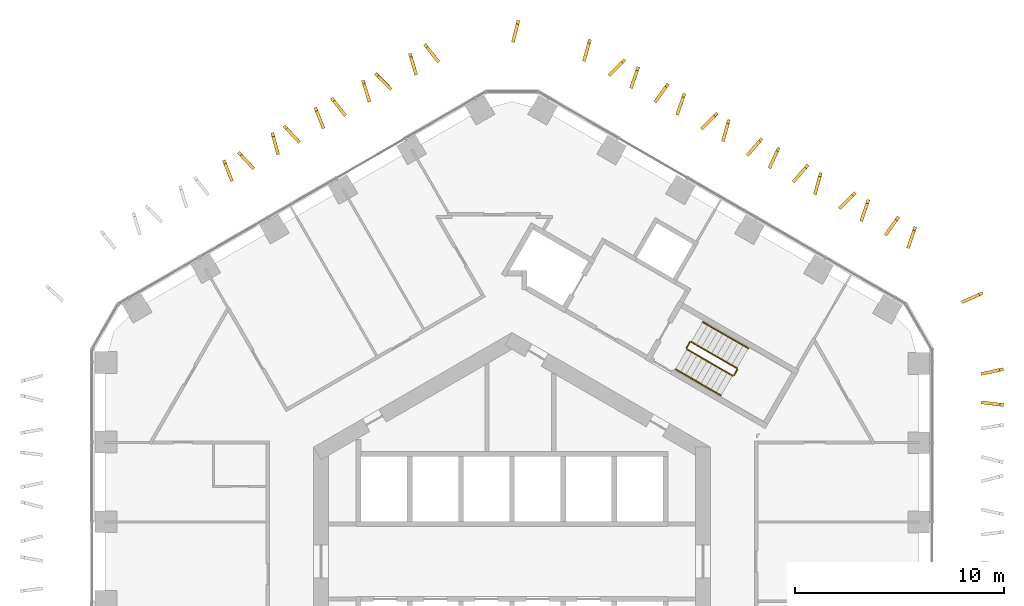
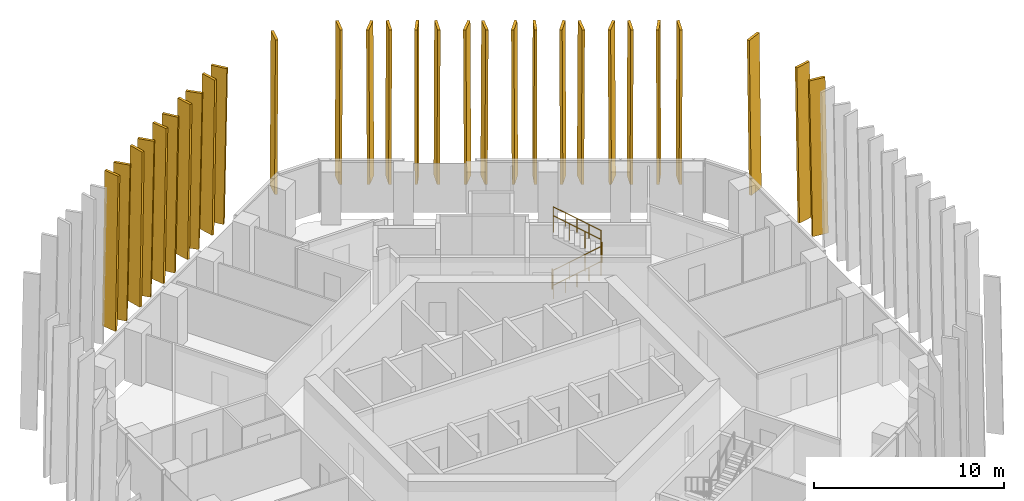
# One storey, part 18 of 18: 29 shading devices, 8 railings.
"""IFC4 building model written with IfcOpenShell, lengths in metres."""

from ifc_helpers import new_model, si_unit, direction, frame, origin, origin_2d, place, context, subcontext, project, spatial, polyline, circle, outline, extrude, material, layer, layer_set, type_object, element, save


model = new_model("IFC4")

# Units and contexts
model_context = context("Model", 3, precision=1e-05, world=origin(), true_north=direction((0.0, 1.0)))
body_context = subcontext(model_context, "Body", "Model", "MODEL_VIEW")
ifc_project = project(units=[si_unit("LENGTHUNIT", "METRE"), si_unit("AREAUNIT", "SQUARE_METRE"), si_unit("VOLUMEUNIT", "CUBIC_METRE"), si_unit("PLANEANGLEUNIT", "RADIAN"), si_unit("MASSUNIT", "GRAM", prefix="KILO")], contexts=[model_context])

# Site, building, storey
site_placement = place(None, origin())
site = spatial("IfcSite", under=ifc_project, at=site_placement, CompositionType="ELEMENT")
building_placement = place(site_placement, origin())
building = spatial("IfcBuilding", under=site, at=building_placement, Name="Ayvan Gate Tower", CompositionType="ELEMENT")
storey_placement = place(building_placement, frame((0.0, 0.0, 83.10009765625)))
storey = spatial("IfcBuildingStorey", under=building, at=storey_placement, Name="L21", CompositionType="ELEMENT", Elevation=83.10009765625)

# Shading devices
ifc_material_1 = material(Name="Bronze anodised aluminium", Category="aluminium")
ifc_layer = layer(ifc_material_1, 0.14990234375)
ifc_layer_set = layer_set([ifc_layer], Name="Bronze anodised aluminium")
shading_device_type = type_object("IfcShadingDeviceType", Name="Bronze fin 900 x 150", PredefinedType="USERDEFINED", material=ifc_layer_set)
shading_device_1_placement = place(storey_placement, frame((-3.568359375, 24.122802734375, 0.0), z_axis=(0.784573637715, 0.620035632434, 0.000146677982), x_axis=(-0.620035639105, 0.784573646154, 1.5609e-08)))
element("IfcShadingDevice", 1, at=shading_device_1_placement, inside=storey, type_object=shading_device_type, Name="Bronze fin FG07.1.1", ObjectType="FIN", PredefinedType="USERDEFINED", context=body_context, shape_type="SweptSolid", body=[
    extrude(outline(polyline([(0.0, 0.0), (0.8999971815605223, 0.0), (0.7159402538432998, 10.07983408163103), (-0.18390555182876894, 10.079834109724292), (0.0, 0.0)])), origin(), (0.0, 0.0, -1.0), 0.14990234375),
])
shading_device_2_placement = place(storey_placement, frame((-4.565673828125, 23.508056640625, 0.0), z_axis=(0.957489675499, 0.288467498553, 0.000153593203), x_axis=(-0.288467501953, 0.957489686794, -1.9946e-08)))
element("IfcShadingDevice", 2, at=shading_device_2_placement, inside=storey, type_object=shading_device_type, Name="Bronze fin FG07.1.2", ObjectType="FIN", PredefinedType="USERDEFINED", context=body_context, shape_type="SweptSolid", body=[
    extrude(outline(polyline([(0.0, 0.0), (0.9000438351950895, 1.3552527156068805e-20), (0.7159398313730221, 10.079834117551068), (-0.18417443045828635, 10.079834081645389), (0.0, 0.0)])), origin(), (0.0, 0.0, -1.0), 0.14990234375),
])
shading_device_3_placement = place(storey_placement, frame((-5.86279296875, 22.79833984375, 0.0), z_axis=(0.707174583753, 0.707038953798, 0.000160951138), x_axis=(-0.707038962955, 0.707174592915, -1.5439e-08)))
element("IfcShadingDevice", 3, at=shading_device_3_placement, inside=storey, type_object=shading_device_type, Name="Bronze fin FG07.1.3", ObjectType="FIN", PredefinedType="USERDEFINED", context=body_context, shape_type="SweptSolid", body=[
    extrude(outline(polyline([(0.0, 0.0), (0.8999384036104328, 0.0), (0.7159107813310452, 10.079834125988326), (-0.18420023921370265, 10.07983409819744), (0.0, 0.0)])), origin(), (0.0, 0.0, -1.0), 0.14990234375),
])
shading_device_4_placement = place(storey_placement, frame((-6.807861328125, 22.21435546875, 0.0), z_axis=(0.956054196621, 0.29318995363, 0.000155610342), x_axis=(-0.29318995718, 0.956054208196, 0.0)))
element("IfcShadingDevice", 4, at=shading_device_4_placement, inside=storey, type_object=shading_device_type, Name="Bronze fin FG07.1.4", ObjectType="FIN", PredefinedType="USERDEFINED", context=body_context, shape_type="SweptSolid", body=[
    extrude(outline(polyline([(0.0, 0.0), (0.9001536688480408, 0.0), (0.71600742047909, 10.079834106414468), (-0.18414624836895074, 10.079834106414468), (0.0, 0.0)])), origin(), (0.0, 0.0, -1.0), 0.14990234375),
])
shading_device_5_placement = place(storey_placement, frame((-8.031005859375, 21.546142578125, 0.0), z_axis=(0.787376173871, 0.616472818302, 0.000158479837), x_axis=(-0.616472826044, 0.787376183758, 3.673e-09)))
element("IfcShadingDevice", 5, at=shading_device_5_placement, inside=storey, type_object=shading_device_type, Name="Bronze fin FG07.1.5", ObjectType="FIN", PredefinedType="USERDEFINED", context=body_context, shape_type="SweptSolid", body=[
    extrude(outline(polyline([(0.0, 0.0), (0.9001454577752708, -2.710505431213761e-20), (0.7159588595770248, 10.079834108327123), (-0.18384386162358723, 10.079834114938349), (0.0, 0.0)])), origin(), (0.0, 0.0, -1.0), 0.14990234375),
])
shading_device_6_placement = place(storey_placement, frame((-9.026611328125, 20.9462890625, 0.0), z_axis=(0.929762108809, 0.368160835032, 0.000143429492), x_axis=(-0.368160838819, 0.929762118372, 0.0)))
element("IfcShadingDevice", 6, at=shading_device_6_placement, inside=storey, type_object=shading_device_type, Name="Bronze fin FG07.1.6", ObjectType="FIN", PredefinedType="USERDEFINED", context=body_context, shape_type="SweptSolid", body=[
    extrude(outline(polyline([(0.0, 0.0), (0.899875253403113, 0.0), (0.715851201309735, 10.07983408805627), (-0.1840240520933779, 10.07983408805627), (0.0, 0.0)])), origin(), (0.0, 0.0, -1.0), 0.14990234375),
])
shading_device_7_placement = place(storey_placement, frame((-10.249755859375, 20.26611328125, 0.0), z_axis=(0.729198712719, 0.684301991382, 0.000148186152), x_axis=(-0.684301998897, 0.729198720724, 1.4655e-08)))
element("IfcShadingDevice", 7, at=shading_device_7_placement, inside=storey, type_object=shading_device_type, Name="Bronze fin FG07.1.7", ObjectType="FIN", PredefinedType="USERDEFINED", context=body_context, shape_type="SweptSolid", body=[
    extrude(outline(polyline([(0.0, 0.0), (0.9000439708308932, -1.3552527156068805e-20), (0.7158793932830756, 10.079834084555674), (-0.18399751163011818, 10.079834110934367), (0.0, 0.0)])), origin(), (0.0, 0.0, -1.0), 0.14990234375),
])
shading_device_8_placement = place(storey_placement, frame((-11.17529296875, 19.686279296875, 0.0), z_axis=(0.965928063267, 0.258810664894, 0.000127789571), x_axis=(-0.258810667007, 0.965928071154, -4.486e-09)))
element("IfcShadingDevice", 8, at=shading_device_8_placement, inside=storey, type_object=shading_device_type, Name="Bronze fin FG07.1.8", ObjectType="FIN", PredefinedType="USERDEFINED", context=body_context, shape_type="SweptSolid", body=[
    extrude(outline(polyline([(0.0, 0.0), (0.9000427826426429, 3.3881317890172014e-21), (0.7158870932206614, 10.079834069888937), (-0.18391986713898498, 10.079834061815458), (0.0, 0.0)])), origin(), (0.0, 0.0, -1.0), 0.14990234375),
])
shading_device_9_placement = place(storey_placement, frame((-12.440185546875, 19.001220703125, 0.0), z_axis=(0.729258040557, 0.684238763973, 0.000155434314), x_axis=(-0.684238772239, 0.729258049366, 0.0)))
element("IfcShadingDevice", 9, at=shading_device_9_placement, inside=storey, type_object=shading_device_type, Name="Bronze fin FG07.1.9", ObjectType="FIN", PredefinedType="USERDEFINED", context=body_context, shape_type="SweptSolid", body=[
    extrude(outline(polyline([(0.0, 0.0), (0.9002220012460287, 0.0), (0.7162242053566722, 10.079834106138518), (-0.18399779588935644, 10.079834106138518), (0.0, 0.0)])), origin(), (0.0, 0.0, -1.0), 0.14990234375),
])
shading_device_10_placement = place(storey_placement, frame((-13.4072265625, 18.4169921875, 0.0), z_axis=(0.929798868468, 0.36806798848, 0.000141606406), x_axis=(-0.368067992171, 0.92979887779, 0.0)))
element("IfcShadingDevice", 10, at=shading_device_10_placement, inside=storey, type_object=shading_device_type, Name="Bronze fin FG07.1.10", ObjectType="FIN", PredefinedType="USERDEFINED", context=body_context, shape_type="SweptSolid", body=[
    extrude(outline(polyline([(0.0, 0.0), (0.9001022505955933, 6.776263578034403e-21), (0.7160780550495098, 10.079834085437303), (-0.18402419554608343, 10.079834085437303), (0.0, 0.0)])), origin(), (0.0, 0.0, -1.0), 0.14990234375),
])
shading_device_11_placement = place(storey_placement, frame((22.656494140625, 7.527587890625, 0.0), z_axis=(-0.120444784066, -0.992720016416, 0.000151654649), x_axis=(0.992720027831, -0.120444785451, -2.478e-09)))
element("IfcShadingDevice", 11, at=shading_device_11_placement, inside=storey, type_object=shading_device_type, Name="Bronze fin FG07.9.78", ObjectType="FIN", PredefinedType="USERDEFINED", context=body_context, shape_type="SweptSolid", body=[
    extrude(outline(polyline([(0.0, 0.0), (0.8998632975037835, 0.0), (0.7159655662336771, 10.079834102062785), (-0.18414009455815103, 10.079834097602708), (0.0, 0.0)])), origin(), (0.0, 0.0, -1.0), 0.14990234375),
])
shading_device_12_placement = place(storey_placement, frame((22.67578125, 8.951416015625, 0.0), z_axis=(0.213454208032, -0.976953058869, 0.000147782145), x_axis=(0.976953069537, 0.213454210363, 0.0)))
element("IfcShadingDevice", 12, at=shading_device_12_placement, inside=storey, type_object=shading_device_type, Name="Bronze fin FG07.9.79", ObjectType="FIN", PredefinedType="USERDEFINED", context=body_context, shape_type="SweptSolid", body=[
    extrude(outline(polyline([(0.0, 0.0), (0.9001399951242565, 6.776263578034403e-21), (0.716039221705121, 10.079834094444585), (-0.1841007734191354, 10.079834094444585), (0.0, 0.0)])), origin(), (0.0, 0.0, -1.0), 0.14990234375),
])
shading_device_13_placement = place(storey_placement, frame((21.75146484375, 12.427734375, 0.0), z_axis=(0.404174399479, -0.91468192956, 0.000150138966), x_axis=(0.914681939869, 0.404174404035, 0.0)))
element("IfcShadingDevice", 13, at=shading_device_13_placement, inside=storey, type_object=shading_device_type, Name="Bronze fin FG07.10.80", ObjectType="FIN", PredefinedType="USERDEFINED", context=body_context, shape_type="SweptSolid", body=[
    extrude(outline(polyline([(0.0, 0.0), (0.9000310945437551, 6.776263578034403e-21), (0.715995926283018, 10.079834097983346), (-0.18403516826073713, 10.079834097983346), (0.0, 0.0)])), origin(), (0.0, 0.0, -1.0), 0.14990234375),
])
shading_device_14_placement = place(storey_placement, frame((19.096923828125, 15.158203125, 0.0), z_axis=(0.945251826867, -0.326341784394, 0.000153501648), x_axis=(0.32634178824, 0.945251838003, -6.795e-09)))
element("IfcShadingDevice", 14, at=shading_device_14_placement, inside=storey, type_object=shading_device_type, Name="Bronze fin FG07.11.81", ObjectType="FIN", PredefinedType="USERDEFINED", context=body_context, shape_type="SweptSolid", body=[
    extrude(outline(polyline([(0.0, 0.0), (0.8998648864393721, 1.3552527156068805e-20), (0.7159373434260371, 10.079834107994458), (-0.1841583173878475, 10.079834095762909), (0.0, 0.0)])), origin(), (0.0, 0.0, -1.0), 0.14990234375),
])
shading_device_15_placement = place(storey_placement, frame((18.0576171875, 15.739501953125, 0.0), z_axis=(0.815635137604, -0.578566594117, 0.0001359348), x_axis=(0.578566599462, 0.81563514514, 0.0)))
element("IfcShadingDevice", 15, at=shading_device_15_placement, inside=storey, type_object=shading_device_type, Name="Bronze fin FG07.11.82", ObjectType="FIN", PredefinedType="USERDEFINED", context=body_context, shape_type="SweptSolid", body=[
    extrude(outline(polyline([(0.0, 0.0), (0.9000726167205502, -6.776263578034403e-21), (0.7159132956296789, 10.07983407750395), (-0.18415932109087127, 10.07983407750395), (0.0, 0.0)])), origin(), (0.0, 0.0, -1.0), 0.14990234375),
])
shading_device_16_placement = place(storey_placement, frame((16.856689453125, 16.45166015625, 0.0), z_axis=(0.9460885188, -0.323908155254, 0.000146813216), x_axis=(0.323908158744, 0.946088528997, 6.449e-09)))
element("IfcShadingDevice", 16, at=shading_device_16_placement, inside=storey, type_object=shading_device_type, Name="Bronze fin FG07.11.83", ObjectType="FIN", PredefinedType="USERDEFINED", context=body_context, shape_type="SweptSolid", body=[
    extrude(outline(polyline([(0.0, 0.0), (0.900074006513843, 0.0), (0.7158474913635703, 10.079834088389196), (-0.18399553650549802, 10.079834099997571), (0.0, 0.0)])), origin(), (0.0, 0.0, -1.0), 0.14990234375),
])
shading_device_17_placement = place(storey_placement, frame((15.86376953125, 16.980712890625, 0.0), z_axis=(0.712376912937, -0.701797057794, 0.000153580058), x_axis=(0.70179706607, 0.712376921338, 0.0)))
element("IfcShadingDevice", 17, at=shading_device_17_placement, inside=storey, type_object=shading_device_type, Name="Bronze fin FG07.11.84", ObjectType="FIN", PredefinedType="USERDEFINED", context=body_context, shape_type="SweptSolid", body=[
    extrude(outline(polyline([(0.0, 0.0), (0.8999635755267725, 0.0), (0.7161153435034988, 10.07983410325069), (-0.18384823202327377, 10.07983410325069), (0.0, 0.0)])), origin(), (0.0, 0.0, -1.0), 0.14990234375),
])
shading_device_18_placement = place(storey_placement, frame((14.62646484375, 17.73876953125, 0.0), z_axis=(0.963564520385, -0.267475962021, 0.000157467188), x_axis=(0.267475965337, 0.963564532331, 0.0)))
element("IfcShadingDevice", 18, at=shading_device_18_placement, inside=storey, type_object=shading_device_type, Name="Bronze fin FG07.11.85", ObjectType="FIN", PredefinedType="USERDEFINED", context=body_context, shape_type="SweptSolid", body=[
    extrude(outline(polyline([(0.0, 0.0), (0.8999786427400962, 0.0), (0.71584307469069, 10.079834109344358), (-0.18413556804940626, 10.079834109344358), (0.0, 0.0)])), origin(), (0.0, 0.0, -1.0), 0.14990234375),
])
shading_device_19_placement = place(storey_placement, frame((13.6484375, 18.271240234375, 0.0), z_axis=(0.755702499778, -0.654915036605, 0.000163274013), x_axis=(0.654915045336, 0.755702509849, -1.4507e-08)))
element("IfcShadingDevice", 19, at=shading_device_19_placement, inside=storey, type_object=shading_device_type, Name="Bronze fin FG07.11.86", ObjectType="FIN", PredefinedType="USERDEFINED", context=body_context, shape_type="SweptSolid", body=[
    extrude(outline(polyline([(0.0, 0.0), (0.8998038108816967, 0.0), (0.7157766808476098, 10.079834129114598), (-0.18421162771715557, 10.079834103005815), (0.0, 0.0)])), origin(), (0.0, 0.0, -1.0), 0.14990234375),
])
shading_device_20_placement = place(storey_placement, frame((12.47412109375, 18.979248046875, 0.0), z_axis=(0.908443063011, -0.418008587668, 0.000147997138), x_axis=(0.418008592246, 0.90844307296, 0.0)))
element("IfcShadingDevice", 20, at=shading_device_20_placement, inside=storey, type_object=shading_device_type, Name="Bronze fin FG07.11.87", ObjectType="FIN", PredefinedType="USERDEFINED", context=body_context, shape_type="SweptSolid", body=[
    extrude(outline(polyline([(0.0, 0.0), (0.9000310283186577, 6.776263578034403e-21), (0.7157909460573149, 10.079834094765074), (-0.18424008226134278, 10.079834094765074), (0.0, 0.0)])), origin(), (0.0, 0.0, -1.0), 0.14990234375),
])
shading_device_21_placement = place(storey_placement, frame((11.446533203125, 19.542236328125, 0.0), z_axis=(0.754874069287, -0.655869744713, 0.000132242233), x_axis=(0.655869750448, 0.754874075888, 0.0)))
element("IfcShadingDevice", 21, at=shading_device_21_placement, inside=storey, type_object=shading_device_type, Name="Bronze fin FG07.11.88", ObjectType="FIN", PredefinedType="USERDEFINED", context=body_context, shape_type="SweptSolid", body=[
    extrude(outline(polyline([(0.0, 0.0), (0.9000751000436222, 0.0), (0.7158617864630611, 10.07983407251311), (-0.18421331358056106, 10.07983407251311), (0.0, 0.0)])), origin(), (0.0, 0.0, -1.0), 0.14990234375),
])
shading_device_22_placement = place(storey_placement, frame((10.22216796875, 20.281494140625, 0.0), z_axis=(0.963653775619, -0.267154227128, 0.000140226146), x_axis=(0.267154229754, 0.963653785093, 0.0)))
element("IfcShadingDevice", 22, at=shading_device_22_placement, inside=storey, type_object=shading_device_type, Name="Bronze fin FG07.11.89", ObjectType="FIN", PredefinedType="USERDEFINED", context=body_context, shape_type="SweptSolid", body=[
    extrude(outline(polyline([(0.0, 0.0), (0.9001486364121107, 0.0), (0.7160788317852345, 10.079834083476765), (-0.1840698046268763, 10.079834083476765), (0.0, 0.0)])), origin(), (0.0, 0.0, -1.0), 0.14990234375),
])
shading_device_23_placement = place(storey_placement, frame((9.2578125, 20.794921875, 0.0), z_axis=(0.712646092662, -0.701523713599, 0.000160846614), x_axis=(0.701523722674, 0.712646101881, 0.0)))
element("IfcShadingDevice", 23, at=shading_device_23_placement, inside=storey, type_object=shading_device_type, Name="Bronze fin FG07.11.90", ObjectType="FIN", PredefinedType="USERDEFINED", context=body_context, shape_type="SweptSolid", body=[
    extrude(outline(polyline([(0.0, 0.0), (0.8999662247254143, -1.3552527156068805e-20), (0.7157733438147031, 10.079834114765884), (-0.1841928809107111, 10.079834114765884), (0.0, 0.0)])), origin(), (0.0, 0.0, -1.0), 0.14990234375),
])
shading_device_24_placement = place(storey_placement, frame((8.039306640625, 21.542236328125, 0.0), z_axis=(0.946005363021, -0.324150941594, 0.000142125749), x_axis=(0.324150944867, 0.946005372575, 6.248e-09)))
element("IfcShadingDevice", 24, at=shading_device_24_placement, inside=storey, type_object=shading_device_type, Name="Bronze fin FG07.11.91", ObjectType="FIN", PredefinedType="USERDEFINED", context=body_context, shape_type="SweptSolid", body=[
    extrude(outline(polyline([(0.0, 0.0), (0.9001531051415116, -6.776263578034403e-21), (0.715926224393077, 10.079834081707132), (-0.18399592240552065, 10.079834092953295), (0.0, 0.0)])), origin(), (0.0, 0.0, -1.0), 0.14990234375),
])
shading_device_25_placement = place(storey_placement, frame((7.019775390625, 22.112060546875, 0.0), z_axis=(0.814978093575, -0.579491746963, 0.000148978128), x_axis=(0.579491753394, 0.814978102619, 0.0)))
element("IfcShadingDevice", 25, at=shading_device_25_placement, inside=storey, type_object=shading_device_type, Name="Bronze fin FG07.11.92", ObjectType="FIN", PredefinedType="USERDEFINED", context=body_context, shape_type="SweptSolid", body=[
    extrude(outline(polyline([(0.0, 0.0), (0.8998995618937605, 0.0), (0.7157962963419269, 10.079834096233352), (-0.18410326555183354, 10.079834096233352), (0.0, 0.0)])), origin(), (0.0, 0.0, -1.0), 0.14990234375),
])
shading_device_26_placement = place(storey_placement, frame((5.8291015625, 22.818359375, 0.0), z_axis=(0.944675989027, -0.328004960004, 0.000148218655), x_axis=(0.328004963607, 0.944675999404, 0.0)))
element("IfcShadingDevice", 26, at=shading_device_26_placement, inside=storey, type_object=shading_device_type, Name="Bronze fin FG07.11.93", ObjectType="FIN", PredefinedType="USERDEFINED", context=body_context, shape_type="SweptSolid", body=[
    extrude(outline(polyline([(0.0, 0.0), (0.8998827712217192, 6.776263578034403e-21), (0.7158727088757431, 10.079834095095778), (-0.1840100623459762, 10.079834095095778), (0.0, 0.0)])), origin(), (0.0, 0.0, -1.0), 0.14990234375),
])
shading_device_27_placement = place(storey_placement, frame((4.8251953125, 23.354248046875, 0.0), z_axis=(0.713385192687, -0.700772108482, 0.000137217748), x_axis=(0.700772115078, 0.713385199404, 1.3277e-08)))
element("IfcShadingDevice", 27, at=shading_device_27_placement, inside=storey, type_object=shading_device_type, Name="Bronze fin FG07.11.94", ObjectType="FIN", PredefinedType="USERDEFINED", context=body_context, shape_type="SweptSolid", body=[
    extrude(outline(polyline([(0.0, 0.0), (0.899974962812444, 0.0), (0.7159520347074265, 10.079834069764138), (-0.18419401504717517, 10.079834093665118), (0.0, 0.0)])), origin(), (0.0, 0.0, -1.0), 0.14990234375),
])
shading_device_28_placement = place(storey_placement, frame((3.56884765625, 24.122802734375, 0.0), z_axis=(0.963793312155, -0.266650387236, 0.00014977317), x_axis=(0.266650390226, 0.963793322965, 0.0)))
element("IfcShadingDevice", 28, at=shading_device_28_placement, inside=storey, type_object=shading_device_type, Name="Bronze fin FG07.11.95", ObjectType="FIN", PredefinedType="USERDEFINED", context=body_context, shape_type="SweptSolid", body=[
    extrude(outline(polyline([(0.0, 0.0), (0.9000183130096557, -6.776263578034403e-21), (0.7159492725002411, 10.079834097430433), (-0.1840690405094147, 10.079834097430433), (0.0, 0.0)])), origin(), (0.0, 0.0, -1.0), 0.14990234375),
])
shading_device_29_placement = place(storey_placement, frame((0.160400390625, 25.031982421875, 0.0), z_axis=(0.969468623287, -0.24521534288, 0.000155170443), x_axis=(0.245215345832, 0.969468634959, 0.0)))
element("IfcShadingDevice", 29, at=shading_device_29_placement, inside=storey, type_object=shading_device_type, Name="Bronze fin FG07.12.96", ObjectType="FIN", PredefinedType="USERDEFINED", context=body_context, shape_type="SweptSolid", body=[
    extrude(outline(polyline([(0.0, 0.0), (0.9000379819272869, -6.776263578034403e-21), (0.7160587910242766, 10.07983410572545), (-0.1839791909030103, 10.07983410572545), (0.0, 0.0)])), origin(), (0.0, 0.0, -1.0), 0.14990234375),
])

# Railings
ifc_material_2 = material(Name="Stainless steel balustrade", Category="steel")
railing_type_1 = type_object("IfcRailingType", Name="RL-GUARD-1100", PredefinedType="GUARDRAIL", material=ifc_material_2)
railing_1_placement = place(storey_placement, frame((8.381103515625, 10.16650390625, 0.169921875)))
element("IfcRailing", 30, at=railing_1_placement, inside=storey, type_object=railing_type_1, Name="L21 STS1 stair guard 1", PredefinedType="GUARDRAIL", context=body_context, shape_type="SweptSolid", body=[
    extrude(circle(Radius=0.02392578125, at=origin_2d()), frame((0.0, 0.0, 1.076171875), z_axis=(0.740261155115, -0.427395438142, 0.518986090067), x_axis=(0.500004791531, 0.866022637375, 0.0)), (0.0, 0.0, 1.0), 2.947998046875),
    extrude(circle(Radius=0.02099609375, at=origin_2d()), origin(), (0.0, 0.0, 1.0), 1.052001953125),
    extrude(circle(Radius=0.02099609375, at=origin_2d()), frame((0.7275390625, -0.419921875, 0.510009765625)), (0.0, 0.0, 1.0), 1.052001953125),
    extrude(circle(Radius=0.02099609375, at=origin_2d()), frame((1.454833984375, -0.840087890625, 1.02001953125)), (0.0, 0.0, 1.0), 1.052001953125),
    extrude(circle(Radius=0.02099609375, at=origin_2d()), frame((2.182373046875, -1.260009765625, 1.530029296875)), (0.0, 0.0, 1.0), 1.052001953125),
])
railing_2_placement = place(storey_placement, frame((10.6318359375, 8.9248046875, 1.699951171875)))
element("IfcRailing", 31, at=railing_2_placement, inside=storey, type_object=railing_type_1, Name="L21 STS1 stair guard 2", PredefinedType="GUARDRAIL", context=body_context, shape_type="SweptSolid", body=[
    extrude(circle(Radius=0.02392578125, at=origin_2d()), frame((0.0, 0.0, 1.076171875), z_axis=(0.499949632511, 0.866054481515, 0.0), x_axis=(-0.866054481515, 0.499949632511, 0.0)), (0.0, 0.0, 1.0), 0.31005859375),
    extrude(circle(Radius=0.02099609375, at=origin_2d()), origin(), (0.0, 0.0, 1.0), 1.052001953125),
    extrude(circle(Radius=0.02099609375, at=origin_2d()), frame((0.155029296875, 0.2685546875, 0.0)), (0.0, 0.0, 1.0), 1.052001953125),
])
railing_3_placement = place(storey_placement, frame((10.7685546875, 9.261474609375, 1.869873046875)))
element("IfcRailing", 32, at=railing_3_placement, inside=storey, type_object=railing_type_1, Name="L21 STS1 stair guard 3", PredefinedType="GUARDRAIL", context=body_context, shape_type="SweptSolid", body=[
    extrude(circle(Radius=0.02392578125, at=origin_2d()), frame((0.0, 0.0, 1.076171875), z_axis=(-0.740261155115, 0.427395438142, 0.518986090067), x_axis=(-0.500004791531, -0.866022637375, 0.0)), (0.0, 0.0, 1.0), 2.947998046875),
    extrude(circle(Radius=0.02099609375, at=origin_2d()), origin(), (0.0, 0.0, 1.0), 1.052001953125),
    extrude(circle(Radius=0.02099609375, at=origin_2d()), frame((-0.7275390625, 0.419921875, 0.510009765625)), (0.0, 0.0, 1.0), 1.052001953125),
    extrude(circle(Radius=0.02099609375, at=origin_2d()), frame((-1.454833984375, 0.840087890625, 1.02001953125)), (0.0, 0.0, 1.0), 1.052001953125),
    extrude(circle(Radius=0.02099609375, at=origin_2d()), frame((-2.182373046875, 1.260009765625, 1.530029296875)), (0.0, 0.0, 1.0), 1.052001953125),
])
railing_4_placement = place(storey_placement, frame((8.36279296875, 10.23486328125, 0.0)))
element("IfcRailing", 33, at=railing_4_placement, inside=storey, type_object=railing_type_1, Name="L21 STS1 stair guard 4", PredefinedType="GUARDRAIL", context=body_context, shape_type="SweptSolid", body=[
    extrude(circle(Radius=0.02392578125, at=origin_2d()), frame((0.0, 0.0, 1.076171875), z_axis=(0.500290723946, 0.86585748916, 0.0), x_axis=(-0.86585748916, 0.500290723946, 0.0)), (0.0, 0.0, 1.0), 0.309814453125),
    extrude(circle(Radius=0.02099609375, at=origin_2d()), origin(), (0.0, 0.0, 1.0), 1.052001953125),
    extrude(circle(Radius=0.02099609375, at=origin_2d()), frame((0.155029296875, 0.268310546875, 0.0)), (0.0, 0.0, 1.0), 1.052001953125),
])
railing_type_2 = type_object("IfcRailingType", Name="RL-HANDRAIL-900", PredefinedType="HANDRAIL", material=ifc_material_2)
railing_5_placement = place(storey_placement, frame((7.8310546875, 9.2138671875, 0.169921875)))
element("IfcRailing", 34, at=railing_5_placement, inside=storey, type_object=railing_type_2, Name="L21 STS1 stair handrail 1", PredefinedType="HANDRAIL", context=body_context, shape_type="SweptSolid", body=[
    extrude(circle(Radius=0.02392578125, at=origin_2d()), frame((0.0, 0.0, 0.8759765625), z_axis=(0.740356597536, -0.427319915356, 0.518912129772), x_axis=(0.499890179513, 0.866088799389, 0.0)), (0.0, 0.0, 1.0), 1.47412109375),
    extrude(circle(Radius=0.02099609375, at=origin_2d()), origin(), (0.0, 0.0, 1.0), 0.851806640625),
    extrude(circle(Radius=0.02099609375, at=origin_2d()), frame((0.545654296875, -0.31494140625, 0.38232421875)), (0.0, 0.0, 1.0), 0.851806640625),
    extrude(circle(Radius=0.02099609375, at=origin_2d()), frame((1.09130859375, -0.6298828125, 0.764892578125)), (0.0, 0.0, 1.0), 0.851806640625),
])
railing_6_placement = place(storey_placement, frame((8.92236328125, 8.583984375, 0.934814453125)))
element("IfcRailing", 35, at=railing_6_placement, inside=storey, type_object=railing_type_2, Name="L21 STS1 stair handrail 2", PredefinedType="HANDRAIL", context=body_context, shape_type="SweptSolid", body=[
    extrude(circle(Radius=0.02392578125, at=origin_2d()), frame((0.0, 0.0, 0.8759765625), z_axis=(0.740165700939, -0.427470949681, 0.519060037311), x_axis=(0.50011940292, 0.865956455501, 0.0)), (0.0, 0.0, 1.0), 1.47412109375),
    extrude(circle(Radius=0.02099609375, at=origin_2d()), origin(), (0.0, 0.0, 1.0), 0.851806640625),
    extrude(circle(Radius=0.02099609375, at=origin_2d()), frame((0.54541015625, -0.31494140625, 0.382568359375)), (0.0, 0.0, 1.0), 0.851806640625),
    extrude(circle(Radius=0.02099609375, at=origin_2d()), frame((1.091064453125, -0.630126953125, 0.76513671875)), (0.0, 0.0, 1.0), 0.851806640625),
])
railing_7_placement = place(storey_placement, frame((11.318603515625, 10.214111328125, 1.869873046875)))
element("IfcRailing", 36, at=railing_7_placement, inside=storey, type_object=railing_type_2, Name="L21 STS1 stair handrail 3", PredefinedType="HANDRAIL", context=body_context, shape_type="SweptSolid", body=[
    extrude(circle(Radius=0.02392578125, at=origin_2d()), frame((0.0, 0.0, 0.8759765625), z_axis=(-0.740240574041, 0.427418550694, 0.518996411419), x_axis=(-0.500035496587, -0.86600490885, 0.0)), (0.0, 0.0, 1.0), 1.474365234375),
    extrude(circle(Radius=0.02099609375, at=origin_2d()), origin(), (0.0, 0.0, 1.0), 0.851806640625),
    extrude(circle(Radius=0.02099609375, at=origin_2d()), frame((-0.545654296875, 0.31494140625, 0.382568359375)), (0.0, 0.0, 1.0), 0.851806640625),
    extrude(circle(Radius=0.02099609375, at=origin_2d()), frame((-1.09130859375, 0.630126953125, 0.76513671875)), (0.0, 0.0, 1.0), 0.851806640625),
])
railing_8_placement = place(storey_placement, frame((10.227294921875, 10.84423828125, 2.635009765625)))
element("IfcRailing", 37, at=railing_8_placement, inside=storey, type_object=railing_type_2, Name="L21 STS1 stair handrail 4", PredefinedType="HANDRAIL", context=body_context, shape_type="SweptSolid", body=[
    extrude(circle(Radius=0.02392578125, at=origin_2d()), frame((0.0, 0.0, 0.8759765625), z_axis=(-0.740356597536, 0.427319915356, 0.518912129772), x_axis=(-0.499890179513, -0.866088799389, 0.0)), (0.0, 0.0, 1.0), 1.47412109375),
    extrude(circle(Radius=0.02099609375, at=origin_2d()), origin(), (0.0, 0.0, 1.0), 0.851806640625),
    extrude(circle(Radius=0.02099609375, at=origin_2d()), frame((-0.545654296875, 0.31494140625, 0.38232421875)), (0.0, 0.0, 1.0), 0.851806640625),
    extrude(circle(Radius=0.02099609375, at=origin_2d()), frame((-1.09130859375, 0.6298828125, 0.764892578125)), (0.0, 0.0, 1.0), 0.851806640625),
])

save(model, "model.ifc")
